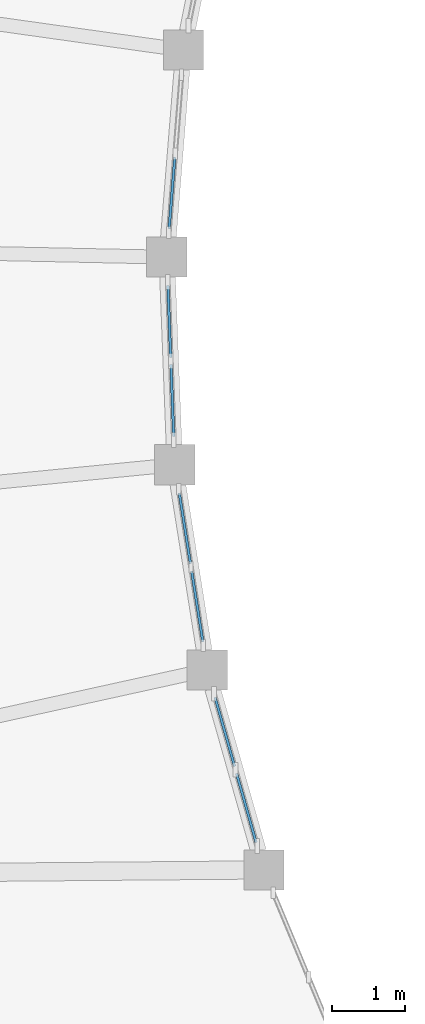
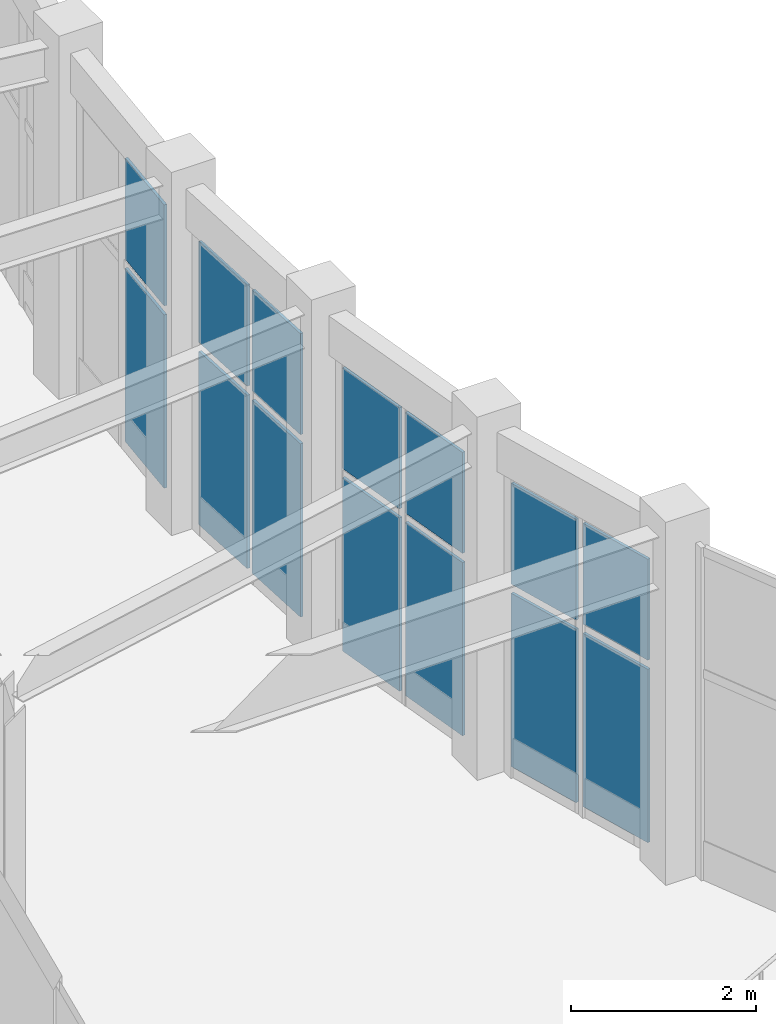
# One storey, part 81 of 144: 14 plates, 4 elements without a shape of their own.
"""IFC4 building model written with IfcOpenShell, lengths in metres."""

from ifc_helpers import new_model, si_unit, direction, frame, origin, origin_2d, place, context, subcontext, project, spatial, rectangle, extrude, material, layer, layer_set, type_object, element, aggregate, save


model = new_model("IFC4")

# Units and contexts
model_context = context("Model", 3, precision=1e-05, world=origin(), true_north=direction((0.0, 1.0)))
body_context = subcontext(model_context, "Body", "Model", "MODEL_VIEW")
ifc_project = project(units=[si_unit("LENGTHUNIT", "METRE"), si_unit("AREAUNIT", "SQUARE_METRE"), si_unit("VOLUMEUNIT", "CUBIC_METRE"), si_unit("PLANEANGLEUNIT", "RADIAN"), si_unit("MASSUNIT", "GRAM", prefix="KILO")], contexts=[model_context])

# Site, building, storey
site_placement = place(None, origin())
site = spatial("IfcSite", under=ifc_project, at=site_placement, CompositionType="ELEMENT")
building_placement = place(site_placement, origin())
building = spatial("IfcBuilding", under=site, at=building_placement, Name="Cinderbank Siding Concert Hall", CompositionType="ELEMENT")
storey_placement = place(building_placement, frame((0.0, 0.0, 5.39990234375)))
storey = spatial("IfcBuildingStorey", under=building, at=storey_placement, Name="L02", CompositionType="ELEMENT", Elevation=5.39990234375)

# Curtain wall, plates
ifc_material_1 = material(Name="Anodised aluminium alloy 6063-T6", Category="aluminium")
curtain_wall_type_1 = type_object("IfcCurtainWallType", Name="CW-13 Unitised Acoustic Curtain Wall 4200x4400", PredefinedType="NOTDEFINED", material=ifc_material_1)
curtain_wall_1_placement = place(storey_placement, origin())
curtain_wall_1 = element("IfcCurtainWall", 1, at=curtain_wall_1_placement, inside=storey, type_object=curtain_wall_type_1, Name="L02 Curtain Wall CW-13 #120", PredefinedType="NOTDEFINED")
ifc_material_2 = material(Name="Double-glazed laminated acoustic glass", Category="glass")
ifc_layer_1 = layer(ifc_material_2, 0.035888671875)
ifc_layer_set_1 = layer_set([ifc_layer_1], Name="Double-glazed laminated acoustic glass")
plate_type_1 = type_object("IfcPlateType", Name="CP-01 Glazed Curtain Panel 1800x2200", PredefinedType="CURTAIN_PANEL", material=ifc_layer_set_1)
plate_1_placement = place(storey_placement, frame((32.25244140625, 64.787109375, 0.1201171875), z_axis=(0.0, 0.0, 1.0), x_axis=(0.156464041899, -0.987683655627, 0.0)))
plate_1 = element("IfcPlate", 2, at=plate_1_placement, type_object=plate_type_1, Name="CW-L02-120 Glazed Panel 0-0", PredefinedType="CURTAIN_PANEL", context=body_context, shape_type="SweptSolid", body=[
    extrude(rectangle(XDim=0.9833984375, YDim=0.035888671875, at=origin_2d()), origin(), (0.0, 0.0, 1.0), 2.2919921875),
])
plate_2_placement = place(storey_placement, frame((32.25244140625, 64.787109375, 2.5322265625), z_axis=(0.0, 0.0, 1.0), x_axis=(0.156464041899, -0.987683655627, 0.0)))
plate_2 = element("IfcPlate", 3, at=plate_2_placement, type_object=plate_type_1, Name="CW-L02-120 Glazed Panel 0-1", PredefinedType="CURTAIN_PANEL", context=body_context, shape_type="SweptSolid", body=[
    extrude(rectangle(XDim=0.9833984375, YDim=0.035888671875, at=origin_2d()), origin(), (0.0, 0.0, 1.0), 1.335205078125),
])
plate_3_placement = place(storey_placement, frame((32.422119140625, 63.71728515625, 0.1201171875), z_axis=(0.0, 0.0, 1.0), x_axis=(0.156464041899, -0.987683655627, 0.0)))
plate_3 = element("IfcPlate", 4, at=plate_3_placement, type_object=plate_type_1, Name="CW-L02-120 Glazed Panel 1-0", PredefinedType="CURTAIN_PANEL", context=body_context, shape_type="SweptSolid", body=[
    extrude(rectangle(XDim=0.9833984375, YDim=0.035888671875, at=origin_2d()), origin(), (0.0, 0.0, 1.0), 2.2919921875),
])
plate_4_placement = place(storey_placement, frame((32.422119140625, 63.71728515625, 2.5322265625), z_axis=(0.0, 0.0, 1.0), x_axis=(0.156464041899, -0.987683655627, 0.0)))
plate_4 = element("IfcPlate", 5, at=plate_4_placement, type_object=plate_type_1, Name="CW-L02-120 Glazed Panel 1-1", PredefinedType="CURTAIN_PANEL", context=body_context, shape_type="SweptSolid", body=[
    extrude(rectangle(XDim=0.9833984375, YDim=0.035888671875, at=origin_2d()), origin(), (0.0, 0.0, 1.0), 1.335205078125),
])
aggregate(curtain_wall_1, [plate_1, plate_2, plate_3, plate_4])

curtain_wall_type_2 = type_object("IfcCurtainWallType", Name="CW-14 Unitised Acoustic Curtain Wall 4200x3800", PredefinedType="NOTDEFINED", material=ifc_material_1)
curtain_wall_2_placement = place(storey_placement, origin())
curtain_wall_2 = element("IfcCurtainWall", 6, at=curtain_wall_2_placement, inside=storey, type_object=curtain_wall_type_2, Name="L02 Curtain Wall CW-14 #121", PredefinedType="NOTDEFINED")
ifc_layer_2 = layer(ifc_material_2, 0.035888671875)
ifc_layer_set_2 = layer_set([ifc_layer_2], Name="Double-glazed laminated acoustic glass")
plate_type_2 = type_object("IfcPlateType", Name="CP-02 Glazed Curtain Panel 1800x1900", PredefinedType="CURTAIN_PANEL", material=ifc_layer_set_2)
plate_5_placement = place(storey_placement, frame((32.800048828125, 61.998046875, 0.1201171875), z_axis=(0.0, 0.0, 1.0), x_axis=(0.272275215509, -0.962219417295, 0.0)))
plate_5 = element("IfcPlate", 7, at=plate_5_placement, type_object=plate_type_2, Name="CW-L02-121 Glazed Panel 0-0", PredefinedType="CURTAIN_PANEL", context=body_context, shape_type="SweptSolid", body=[
    extrude(rectangle(XDim=0.9833984375, YDim=0.035888671875, at=origin_2d()), origin(), (0.0, 0.0, 1.0), 2.2919921875),
])
plate_6_placement = place(storey_placement, frame((32.800048828125, 61.998046875, 2.5322265625), z_axis=(0.0, 0.0, 1.0), x_axis=(0.272275215509, -0.962219417295, 0.0)))
plate_6 = element("IfcPlate", 8, at=plate_6_placement, type_object=plate_type_2, Name="CW-L02-121 Glazed Panel 0-1", PredefinedType="CURTAIN_PANEL", context=body_context, shape_type="SweptSolid", body=[
    extrude(rectangle(XDim=0.9833984375, YDim=0.035888671875, at=origin_2d()), origin(), (0.0, 0.0, 1.0), 1.335205078125),
])
plate_7_placement = place(storey_placement, frame((33.094970703125, 60.95556640625, 0.1201171875), z_axis=(0.0, 0.0, 1.0), x_axis=(0.272275215509, -0.962219417295, 0.0)))
plate_7 = element("IfcPlate", 9, at=plate_7_placement, type_object=plate_type_2, Name="CW-L02-121 Glazed Panel 1-0", PredefinedType="CURTAIN_PANEL", context=body_context, shape_type="SweptSolid", body=[
    extrude(rectangle(XDim=0.9833984375, YDim=0.035888671875, at=origin_2d()), origin(), (0.0, 0.0, 1.0), 2.2919921875),
])
plate_8_placement = place(storey_placement, frame((33.094970703125, 60.95556640625, 2.5322265625), z_axis=(0.0, 0.0, 1.0), x_axis=(0.272275215509, -0.962219417295, 0.0)))
plate_8 = element("IfcPlate", 10, at=plate_8_placement, type_object=plate_type_2, Name="CW-L02-121 Glazed Panel 1-1", PredefinedType="CURTAIN_PANEL", context=body_context, shape_type="SweptSolid", body=[
    extrude(rectangle(XDim=0.9833984375, YDim=0.035888671875, at=origin_2d()), origin(), (0.0, 0.0, 1.0), 1.335205078125),
])
aggregate(curtain_wall_2, [plate_5, plate_6, plate_7, plate_8])

curtain_wall_3_placement = place(storey_placement, origin())
curtain_wall_3 = element("IfcCurtainWall", 11, at=curtain_wall_3_placement, inside=storey, type_object=curtain_wall_type_1, Name="L02 Curtain Wall CW-13 #118", PredefinedType="NOTDEFINED")
ifc_layer_3 = layer(ifc_material_2, 0.033935546875)
ifc_layer_set_3 = layer_set([ifc_layer_3], Name="Double-glazed laminated acoustic glass")
plate_type_3 = type_object("IfcPlateType", Name="CP-07 Glazed Curtain Panel 1500x1750", PredefinedType="CURTAIN_PANEL", material=ifc_layer_set_3)
plate_9_placement = place(storey_placement, frame((32.075927734375, 69.381591796875, 0.1201171875), z_axis=(0.0, 0.0, 1.0), x_axis=(-0.0801961758, -0.996779099594, 0.0)))
plate_9 = element("IfcPlate", 12, at=plate_9_placement, type_object=plate_type_3, Name="CW-L02-118 Glazed Panel 1-0", PredefinedType="CURTAIN_PANEL", context=body_context, shape_type="SweptSolid", body=[
    extrude(rectangle(XDim=0.9833984375, YDim=0.035888671875, at=origin_2d()), origin(), (0.0, 0.0, 1.0), 2.2919921875),
])
plate_10_placement = place(storey_placement, frame((32.075927734375, 69.381591796875, 2.5322265625), z_axis=(0.0, 0.0, 1.0), x_axis=(-0.0801961758, -0.996779099594, 0.0)))
plate_10 = element("IfcPlate", 13, at=plate_10_placement, type_object=plate_type_3, Name="CW-L02-118 Glazed Panel 1-1", PredefinedType="CURTAIN_PANEL", context=body_context, shape_type="SweptSolid", body=[
    extrude(rectangle(XDim=0.9833984375, YDim=0.035888671875, at=origin_2d()), origin(), (0.0, 0.0, 1.0), 1.335205078125),
])
aggregate(curtain_wall_3, [plate_9, plate_10])

curtain_wall_4_placement = place(storey_placement, origin())
curtain_wall_4 = element("IfcCurtainWall", 14, at=curtain_wall_4_placement, inside=storey, type_object=curtain_wall_type_2, Name="L02 Curtain Wall CW-14 #119", PredefinedType="NOTDEFINED")
ifc_layer_4 = layer(ifc_material_2, 0.033935546875)
ifc_layer_set_4 = layer_set([ifc_layer_4], Name="Double-glazed laminated acoustic glass")
plate_type_4 = type_object("IfcPlateType", Name="CP-08 Glazed Curtain Panel 1700x1550", PredefinedType="CURTAIN_PANEL", material=ifc_layer_set_4)
plate_11_placement = place(storey_placement, frame((32.0390625, 67.62158203125, 0.1201171875), z_axis=(0.0, 0.0, 1.0), x_axis=(0.038360270672, -0.99926397395, 0.0)))
plate_11 = element("IfcPlate", 15, at=plate_11_placement, type_object=plate_type_4, Name="CW-L02-119 Glazed Panel 0-0", PredefinedType="CURTAIN_PANEL", context=body_context, shape_type="SweptSolid", body=[
    extrude(rectangle(XDim=0.9833984375, YDim=0.035888671875, at=origin_2d()), origin(), (0.0, 0.0, 1.0), 2.2919921875),
])
plate_12_placement = place(storey_placement, frame((32.0390625, 67.62158203125, 2.5322265625), z_axis=(0.0, 0.0, 1.0), x_axis=(0.038360270672, -0.99926397395, 0.0)))
plate_12 = element("IfcPlate", 16, at=plate_12_placement, type_object=plate_type_4, Name="CW-L02-119 Glazed Panel 0-1", PredefinedType="CURTAIN_PANEL", context=body_context, shape_type="SweptSolid", body=[
    extrude(rectangle(XDim=0.9833984375, YDim=0.035888671875, at=origin_2d()), origin(), (0.0, 0.0, 1.0), 1.335205078125),
])
plate_13_placement = place(storey_placement, frame((32.080810546875, 66.5390625, 0.1201171875), z_axis=(0.0, 0.0, 1.0), x_axis=(0.038360270672, -0.99926397395, 0.0)))
plate_13 = element("IfcPlate", 17, at=plate_13_placement, type_object=plate_type_4, Name="CW-L02-119 Glazed Panel 1-0", PredefinedType="CURTAIN_PANEL", context=body_context, shape_type="SweptSolid", body=[
    extrude(rectangle(XDim=0.9833984375, YDim=0.035888671875, at=origin_2d()), origin(), (0.0, 0.0, 1.0), 2.2919921875),
])
plate_14_placement = place(storey_placement, frame((32.080810546875, 66.5390625, 2.5322265625), z_axis=(0.0, 0.0, 1.0), x_axis=(0.038360270672, -0.99926397395, 0.0)))
plate_14 = element("IfcPlate", 18, at=plate_14_placement, type_object=plate_type_4, Name="CW-L02-119 Glazed Panel 1-1", PredefinedType="CURTAIN_PANEL", context=body_context, shape_type="SweptSolid", body=[
    extrude(rectangle(XDim=0.9833984375, YDim=0.035888671875, at=origin_2d()), origin(), (0.0, 0.0, 1.0), 1.335205078125),
])
aggregate(curtain_wall_4, [plate_11, plate_12, plate_13, plate_14])

save(model, "model.ifc")
